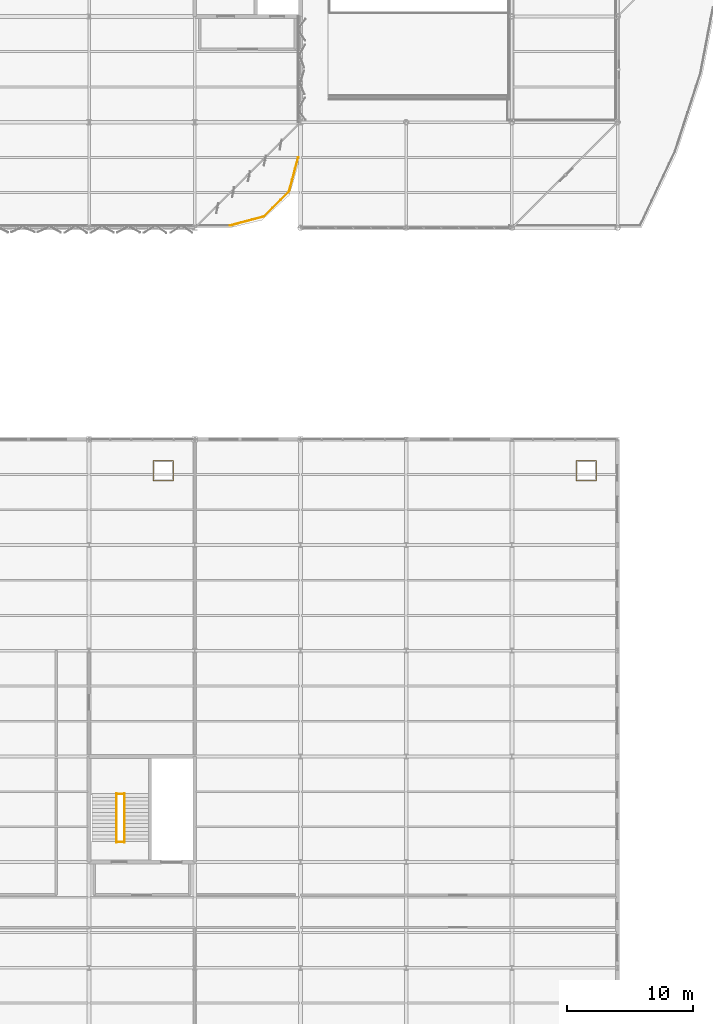
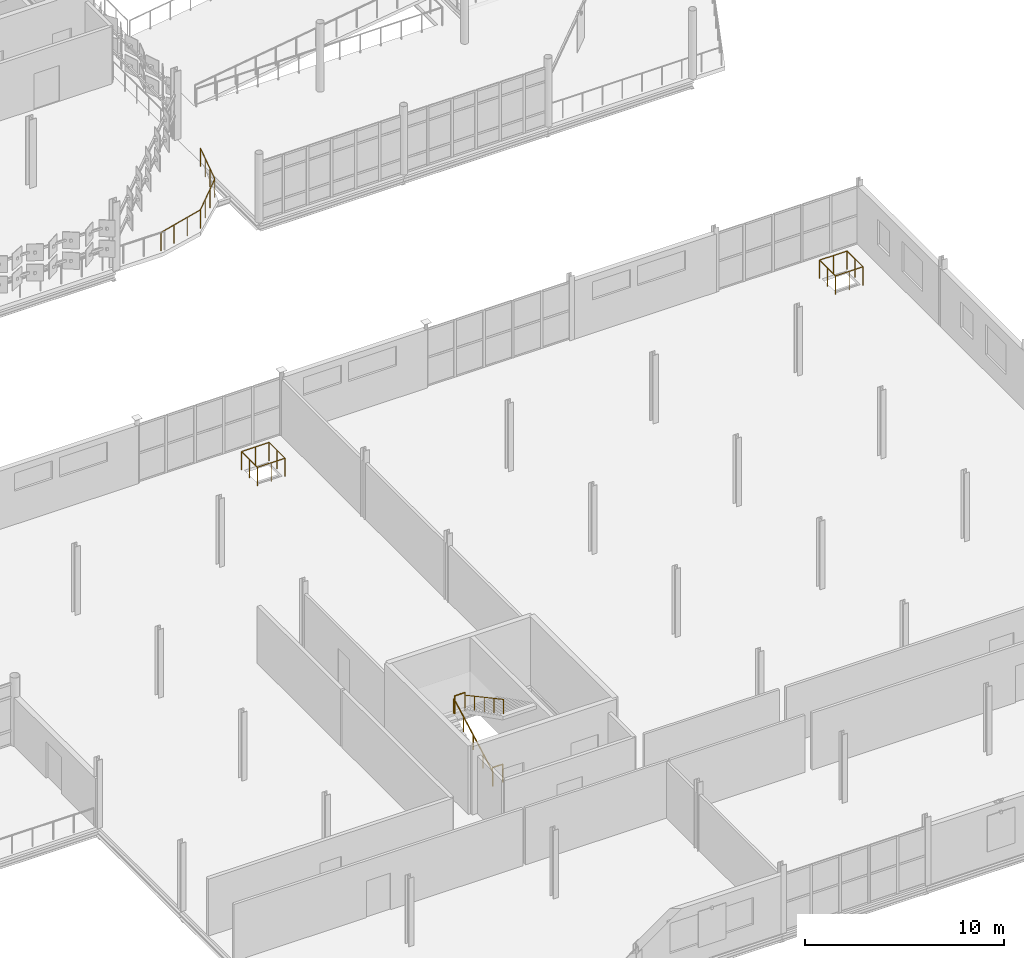
# One storey, part 160 of 163: 7 railings.
"""IFC4 building model written with IfcOpenShell, lengths in metres."""

from ifc_helpers import new_model, si_unit, direction, frame, origin, origin_2d, place, context, subcontext, project, spatial, circle, extrude, material, type_object, element, save


model = new_model("IFC4")

# Units and contexts
model_context = context("Model", 3, precision=1e-05, world=origin(), true_north=direction((0.0, 1.0)))
body_context = subcontext(model_context, "Body", "Model", "MODEL_VIEW")
ifc_project = project(units=[si_unit("LENGTHUNIT", "METRE"), si_unit("AREAUNIT", "SQUARE_METRE"), si_unit("VOLUMEUNIT", "CUBIC_METRE"), si_unit("PLANEANGLEUNIT", "RADIAN"), si_unit("MASSUNIT", "GRAM", prefix="KILO")], contexts=[model_context])

# Site, building, storey
site_placement = place(None, origin())
site = spatial("IfcSite", under=ifc_project, at=site_placement, CompositionType="ELEMENT")
building_placement = place(site_placement, origin())
building = spatial("IfcBuilding", under=site, at=building_placement, Name="Qalvenar Corner Mobility Hub", CompositionType="ELEMENT")
storey_placement = place(building_placement, frame((0.0, 0.0, 4.800048828125)))
storey = spatial("IfcBuildingStorey", under=building, at=storey_placement, Name="L01", CompositionType="ELEMENT", Elevation=4.800048828125)

# Railings
ifc_material_1 = material(Name="Art Nouveau Bronze-Finished Steel Balustrade", Category="steel")
railing_type_1 = type_object("IfcRailingType", Name="RL-GUARD-110", PredefinedType="GUARDRAIL", material=ifc_material_1)
for number, where, name in (
    (1, (128.18994140625, 18.39990234375, 0.0), "Stair Arrival Slot Guard C6-L01"),
    (2, (128.18994140625, 22.199951171875, 2.099853515625), "Stair Half-Landing Well Guard ST6-L01"),
):
    element("IfcRailing", number, at=place(storey_placement, frame(where)), inside=storey, type_object=railing_type_1, Name=name, PredefinedType="GUARDRAIL", context=body_context, shape_type="SweptSolid", body=[
        extrude(circle(Radius=0.02392578125, at=origin_2d()), frame((0.0, 0.0, 1.09619140625), z_axis=(1.0, 0.0, 0.0), x_axis=(0.0, 1.0, 0.0)), (0.0, 0.0, 1.0), 0.60009765625),
        extrude(circle(Radius=0.02099609375, at=origin_2d()), origin(), (0.0, 0.0, 1.0), 1.072021484375),
        extrude(circle(Radius=0.02099609375, at=origin_2d()), frame((0.60009765625, 0.0, 0.0)), (0.0, 0.0, 1.0), 1.072021484375),
    ])
ifc_material_2 = material(Name="Galvanised Steel Deck Edge Barrier", Category="steel")
railing_type_2 = type_object("IfcRailingType", Name="RL-GUARD-115", PredefinedType="GUARDRAIL", material=ifc_material_2)
railing_1_placement = place(storey_placement, frame((131.10009765625, 47.10009765625, 0.0)))
element("IfcRailing", 3, at=railing_1_placement, inside=storey, type_object=railing_type_2, Name="Riser Opening Guard V6-A-L01", PredefinedType="GUARDRAIL", context=body_context, shape_type="SweptSolid", body=[
    extrude(circle(Radius=0.02392578125, at=origin_2d()), frame((0.0, 0.0, 1.1259765625), z_axis=(1.0, 0.0, 0.0), x_axis=(0.0, 1.0, 0.0)), (0.0, 0.0, 1.0), 1.599853515625),
    extrude(circle(Radius=0.02392578125, at=origin_2d()), frame((1.599853515625, 0.0, 1.1259765625), z_axis=(0.0, 1.0, 0.0), x_axis=(-1.0, 0.0, 0.0)), (0.0, 0.0, 1.0), 1.599853515625),
    extrude(circle(Radius=0.02392578125, at=origin_2d()), frame((1.599853515625, 1.599853515625, 1.1259765625), z_axis=(-1.0, 0.0, 0.0), x_axis=(0.0, -1.0, 0.0)), (0.0, 0.0, 1.0), 1.599853515625),
    extrude(circle(Radius=0.02392578125, at=origin_2d()), frame((0.0, 1.599853515625, 1.1259765625), z_axis=(0.0, -1.0, 0.0), x_axis=(1.0, 0.0, 0.0)), (0.0, 0.0, 1.0), 1.599853515625),
    extrude(circle(Radius=0.02099609375, at=origin_2d()), origin(), (0.0, 0.0, 1.0), 1.101806640625),
    extrude(circle(Radius=0.02099609375, at=origin_2d()), frame((0.7998046875, 0.0, 0.0)), (0.0, 0.0, 1.0), 1.101806640625),
    extrude(circle(Radius=0.02099609375, at=origin_2d()), frame((1.599853515625, 0.0, 0.0)), (0.0, 0.0, 1.0), 1.101806640625),
    extrude(circle(Radius=0.02099609375, at=origin_2d()), frame((1.599853515625, 0.7998046875, 0.0)), (0.0, 0.0, 1.0), 1.101806640625),
    extrude(circle(Radius=0.02099609375, at=origin_2d()), frame((1.599853515625, 1.599853515625, 0.0)), (0.0, 0.0, 1.0), 1.101806640625),
    extrude(circle(Radius=0.02099609375, at=origin_2d()), frame((0.7998046875, 1.599853515625, 0.0)), (0.0, 0.0, 1.0), 1.101806640625),
    extrude(circle(Radius=0.02099609375, at=origin_2d()), frame((0.0, 1.599853515625, 0.0)), (0.0, 0.0, 1.0), 1.101806640625),
    extrude(circle(Radius=0.02099609375, at=origin_2d()), frame((0.0, 0.7998046875, 0.0)), (0.0, 0.0, 1.0), 1.101806640625),
])
railing_2_placement = place(storey_placement, frame((164.699951171875, 47.10009765625, 0.0)))
element("IfcRailing", 4, at=railing_2_placement, inside=storey, type_object=railing_type_2, Name="Riser Opening Guard V6-B-L01", PredefinedType="GUARDRAIL", context=body_context, shape_type="SweptSolid", body=[
    extrude(circle(Radius=0.02392578125, at=origin_2d()), frame((0.0, 0.0, 1.1259765625), z_axis=(1.0, 0.0, 0.0), x_axis=(0.0, 1.0, 0.0)), (0.0, 0.0, 1.0), 1.60009765625),
    extrude(circle(Radius=0.02392578125, at=origin_2d()), frame((1.60009765625, 0.0, 1.1259765625), z_axis=(0.0, 1.0, 0.0), x_axis=(-1.0, 0.0, 0.0)), (0.0, 0.0, 1.0), 1.599853515625),
    extrude(circle(Radius=0.02392578125, at=origin_2d()), frame((1.60009765625, 1.599853515625, 1.1259765625), z_axis=(-1.0, 0.0, 0.0), x_axis=(0.0, -1.0, 0.0)), (0.0, 0.0, 1.0), 1.60009765625),
    extrude(circle(Radius=0.02392578125, at=origin_2d()), frame((0.0, 1.599853515625, 1.1259765625), z_axis=(0.0, -1.0, 0.0), x_axis=(1.0, 0.0, 0.0)), (0.0, 0.0, 1.0), 1.599853515625),
    extrude(circle(Radius=0.02099609375, at=origin_2d()), origin(), (0.0, 0.0, 1.0), 1.101806640625),
    extrude(circle(Radius=0.02099609375, at=origin_2d()), frame((0.800048828125, 0.0, 0.0)), (0.0, 0.0, 1.0), 1.101806640625),
    extrude(circle(Radius=0.02099609375, at=origin_2d()), frame((1.60009765625, 0.0, 0.0)), (0.0, 0.0, 1.0), 1.101806640625),
    extrude(circle(Radius=0.02099609375, at=origin_2d()), frame((1.60009765625, 0.7998046875, 0.0)), (0.0, 0.0, 1.0), 1.101806640625),
    extrude(circle(Radius=0.02099609375, at=origin_2d()), frame((1.60009765625, 1.599853515625, 0.0)), (0.0, 0.0, 1.0), 1.101806640625),
    extrude(circle(Radius=0.02099609375, at=origin_2d()), frame((0.800048828125, 1.599853515625, 0.0)), (0.0, 0.0, 1.0), 1.101806640625),
    extrude(circle(Radius=0.02099609375, at=origin_2d()), frame((0.0, 1.599853515625, 0.0)), (0.0, 0.0, 1.0), 1.101806640625),
    extrude(circle(Radius=0.02099609375, at=origin_2d()), frame((0.0, 0.7998046875, 0.0)), (0.0, 0.0, 1.0), 1.101806640625),
])
railing_3_placement = place(storey_placement, frame((137.199951171875, 67.3798828125, 0.0)))
element("IfcRailing", 5, at=railing_3_placement, inside=storey, type_object=railing_type_2, Name="Rounded Corner Barrier L01-SE", PredefinedType="GUARDRAIL", context=body_context, shape_type="SweptSolid", body=[
    extrude(circle(Radius=0.02392578125, at=origin_2d()), frame((0.0, 0.0, 1.1259765625), z_axis=(0.965909204481, 0.25888107057, 0.0), x_axis=(-0.25888107057, 0.965909204481, 0.0)), (0.0, 0.0, 1.0), 2.8056640625),
    extrude(circle(Radius=0.02392578125, at=origin_2d()), frame((2.7099609375, 0.726318359375, 1.1259765625), z_axis=(0.707106781187, 0.707106781187, 0.0), x_axis=(-0.707106781187, 0.707106781187, 0.0)), (0.0, 0.0, 1.0), 2.8056640625),
    extrude(circle(Radius=0.02392578125, at=origin_2d()), frame((4.69384765625, 2.710205078125, 1.1259765625), z_axis=(0.25888107057, 0.965909204481, 0.0), x_axis=(-0.965909204481, 0.25888107057, 0.0)), (0.0, 0.0, 1.0), 2.8056640625),
    extrude(circle(Radius=0.02099609375, at=origin_2d()), origin(), (0.0, 0.0, 1.0), 1.101806640625),
    extrude(circle(Radius=0.02099609375, at=origin_2d()), frame((0.9033203125, 0.2421875, 0.0)), (0.0, 0.0, 1.0), 1.101806640625),
    extrude(circle(Radius=0.02099609375, at=origin_2d()), frame((1.806640625, 0.484130859375, 0.0)), (0.0, 0.0, 1.0), 1.101806640625),
    extrude(circle(Radius=0.02099609375, at=origin_2d()), frame((2.7099609375, 0.726318359375, 0.0)), (0.0, 0.0, 1.0), 1.101806640625),
    extrude(circle(Radius=0.02099609375, at=origin_2d()), frame((3.371337890625, 1.3876953125, 0.0)), (0.0, 0.0, 1.0), 1.101806640625),
    extrude(circle(Radius=0.02099609375, at=origin_2d()), frame((4.032470703125, 2.048828125, 0.0)), (0.0, 0.0, 1.0), 1.101806640625),
    extrude(circle(Radius=0.02099609375, at=origin_2d()), frame((4.69384765625, 2.710205078125, 0.0)), (0.0, 0.0, 1.0), 1.101806640625),
    extrude(circle(Radius=0.02099609375, at=origin_2d()), frame((4.93603515625, 3.613525390625, 0.0)), (0.0, 0.0, 1.0), 1.101806640625),
    extrude(circle(Radius=0.02099609375, at=origin_2d()), frame((5.177978515625, 4.516845703125, 0.0)), (0.0, 0.0, 1.0), 1.101806640625),
    extrude(circle(Radius=0.02099609375, at=origin_2d()), frame((5.420166015625, 5.420166015625, 0.0)), (0.0, 0.0, 1.0), 1.101806640625),
])
ifc_material_3 = material(Name="Brushed Stainless Steel Handrail", Category="steel")
railing_type_3 = type_object("IfcRailingType", Name="RL-HAND-092", PredefinedType="HANDRAIL", material=ifc_material_3)
railing_4_placement = place(storey_placement, frame((128.169921875, 18.35009765625, 0.0)))
element("IfcRailing", 6, at=railing_4_placement, inside=storey, type_object=railing_type_3, Name="Stair Handrail ST6-L01-1", PredefinedType="HANDRAIL", context=body_context, shape_type="SweptSolid", body=[
    extrude(circle(Radius=0.02392578125, at=origin_2d()), frame((0.0, 0.0, 0.89599609375), z_axis=(0.0, 0.88047994924, 0.474083388219), x_axis=(-1.0, 0.0, 0.0)), (0.0, 0.0, 1.0), 4.42919921875),
    extrude(circle(Radius=0.02099609375, at=origin_2d()), origin(), (0.0, 0.0, 1.0), 0.871826171875),
    extrude(circle(Radius=0.02099609375, at=origin_2d()), frame((0.0, 0.97509765625, 0.52490234375)), (0.0, 0.0, 1.0), 0.871826171875),
    extrude(circle(Radius=0.02099609375, at=origin_2d()), frame((0.0, 1.949951171875, 1.0498046875)), (0.0, 0.0, 1.0), 0.871826171875),
    extrude(circle(Radius=0.02099609375, at=origin_2d()), frame((0.0, 2.9248046875, 1.574951171875)), (0.0, 0.0, 1.0), 0.871826171875),
    extrude(circle(Radius=0.02099609375, at=origin_2d()), frame((0.0, 3.89990234375, 2.099853515625)), (0.0, 0.0, 1.0), 0.871826171875),
])
railing_5_placement = place(storey_placement, frame((128.81005859375, 22.25, 2.099853515625)))
element("IfcRailing", 7, at=railing_5_placement, inside=storey, type_object=railing_type_3, Name="Stair Handrail ST6-L01-2", PredefinedType="HANDRAIL", context=body_context, shape_type="SweptSolid", body=[
    extrude(circle(Radius=0.02392578125, at=origin_2d()), frame((0.0, 0.0, 0.89599609375), z_axis=(0.0, -0.880456940745, 0.474126117709), x_axis=(1.0, 0.0, 0.0)), (0.0, 0.0, 1.0), 4.429443359375),
    extrude(circle(Radius=0.02099609375, at=origin_2d()), origin(), (0.0, 0.0, 1.0), 0.871826171875),
    extrude(circle(Radius=0.02099609375, at=origin_2d()), frame((0.0, -0.97509765625, 0.52490234375)), (0.0, 0.0, 1.0), 0.871826171875),
    extrude(circle(Radius=0.02099609375, at=origin_2d()), frame((0.0, -1.949951171875, 1.050048828125)), (0.0, 0.0, 1.0), 0.871826171875),
    extrude(circle(Radius=0.02099609375, at=origin_2d()), frame((0.0, -2.9248046875, 1.5751953125)), (0.0, 0.0, 1.0), 0.871826171875),
    extrude(circle(Radius=0.02099609375, at=origin_2d()), frame((0.0, -3.89990234375, 2.10009765625)), (0.0, 0.0, 1.0), 0.871826171875),
])

save(model, "model.ifc")
